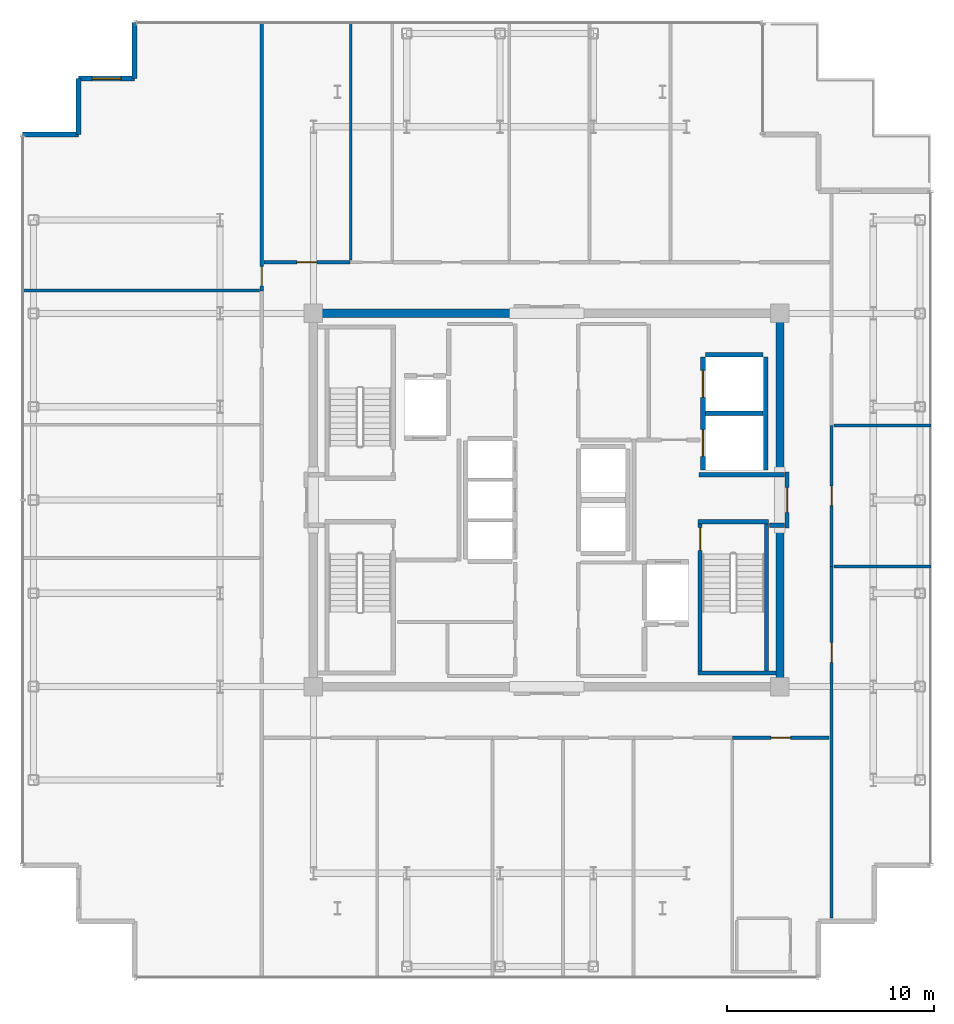
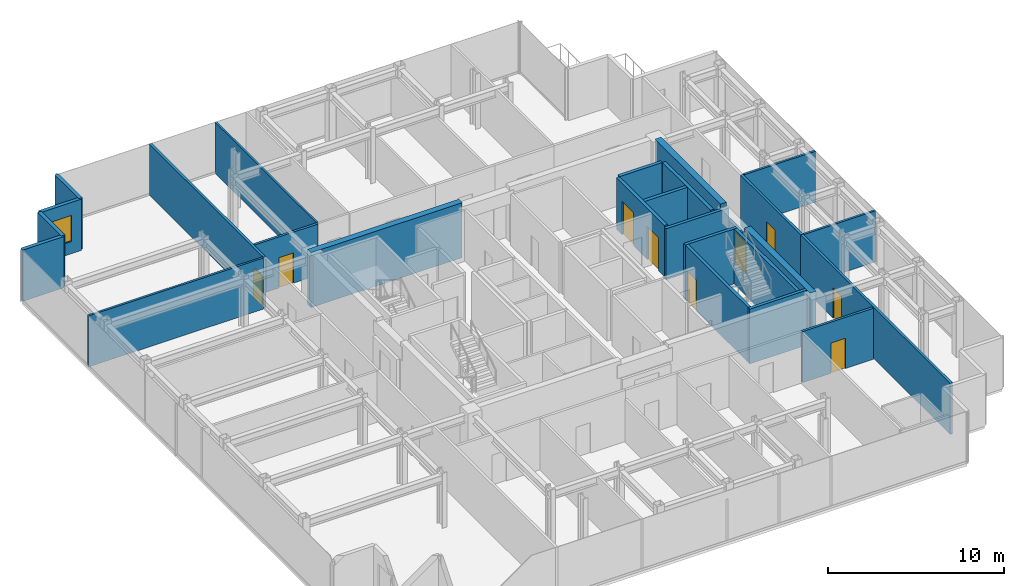
# One storey, part 14 of 17: 27 walls, 9 doors, 1 window, 10 openings.
"""IFC4 building model written with IfcOpenShell, lengths in metres."""

import ifcopenshell
import ifcopenshell.guid

model = None  # the IFC model being written
_history = None  # IfcOwnerHistory: only IFC2X3 demands one
_inside = {}  # id of a spatial element -> (the spatial element, [elements in it])
_under = {}  # id of a project, library or spatial element -> (it, [spatial elements below it])
_declared = {}  # id of a project -> (the project, [libraries it declares])
_typed = {}  # id of a type object -> (the type object, [elements of that type])
_made_of = {}  # id of a material, layer set ... -> (it, [elements and type objects made of it])


def new_model(schema):
    """Start an empty IFC model of exactly this schema.

    Asked for "IFC4X3", IfcOpenShell would pick the latest addendum, in which some entities
    have other attributes; the version numbers below select the first issue.
    IFC2X3 requires an IfcOwnerHistory on every rooted entity: one is made here for all.
    """
    global model, _history
    if schema == "IFC4X3":
        model = ifcopenshell.file(schema_version=(4, 3, 0, 0))
    else:
        model = ifcopenshell.file(schema=schema)
    _inside.clear()
    _under.clear()
    _declared.clear()
    _typed.clear()
    _made_of.clear()
    _history = None
    if model.schema == "IFC2X3":
        org = make("IfcOrganization", Name="unknown")
        user = make(
            "IfcPersonAndOrganization",
            ThePerson=make("IfcPerson", FamilyName="unknown"),
            TheOrganization=org,
        )
        app = make(
            "IfcApplication",
            ApplicationDeveloper=org,
            Version="unknown",
            ApplicationFullName="unknown",
            ApplicationIdentifier="unknown",
        )
        _history = make(
            "IfcOwnerHistory",
            OwningUser=user,
            OwningApplication=app,
            ChangeAction="ADDED",
            CreationDate=0,
        )
    return model


def make(cls, **values):
    """One entity of the class cls with the attributes given. An attribute that is None is left unset."""
    return model.create_entity(
        cls, **{name: value for name, value in values.items() if value is not None}
    )


def rooted(cls, **values):
    """An entity with a GlobalId (a new one), such as an element, a storey or a relation."""
    return make(cls, GlobalId=ifcopenshell.guid.new(), OwnerHistory=_history, **values)


def si_unit(unit_type, name, prefix=None):
    """IfcSIUnit, for example si_unit("LENGTHUNIT", "METRE", prefix="MILLI")."""
    return make("IfcSIUnit", UnitType=unit_type, Prefix=prefix, Name=name)


def assignment(units):
    """IfcUnitAssignment: the units of a project."""
    return None if units is None else make("IfcUnitAssignment", Units=units)


def point(xyz):
    """IfcCartesianPoint."""
    return None if xyz is None else make("IfcCartesianPoint", Coordinates=xyz)


def direction(xyz):
    """IfcDirection."""
    return None if xyz is None else make("IfcDirection", DirectionRatios=xyz)


def frame(location, z_axis=None, x_axis=None):
    """IfcAxis2Placement3D, a coordinate frame: its origin and axes. An axis left out is left unset."""
    return make(
        "IfcAxis2Placement3D",
        Location=point(location),
        Axis=direction(z_axis),
        RefDirection=direction(x_axis),
    )


def frame_2d(location, x_axis=None):
    """IfcAxis2Placement2D, a coordinate frame in the plane: its origin and x axis."""
    return make(
        "IfcAxis2Placement2D", Location=point(location), RefDirection=direction(x_axis)
    )


def origin():
    """The frame at (0, 0, 0) with its axes left unset."""
    return frame((0.0, 0.0, 0.0))


def place(relative_to, where):
    """IfcLocalPlacement: puts the frame where relative to a parent placement (None: the world)."""
    return make(
        "IfcLocalPlacement", PlacementRelTo=relative_to, RelativePlacement=where
    )


def context(
    kind, dimensions, precision=None, world=None, true_north=None, identifier=None
):
    """IfcGeometricRepresentationContext, for example the 3D "Model" context."""
    return make(
        "IfcGeometricRepresentationContext",
        ContextIdentifier=identifier,
        ContextType=kind,
        CoordinateSpaceDimension=dimensions,
        Precision=precision,
        WorldCoordinateSystem=world,
        TrueNorth=true_north,
    )


def subcontext(parent, identifier, kind, view, scale=None):
    """IfcGeometricRepresentationSubContext, for example "Body" below "Model"."""
    return make(
        "IfcGeometricRepresentationSubContext",
        ContextIdentifier=identifier,
        ContextType=kind,
        ParentContext=parent,
        TargetScale=scale,
        TargetView=view,
    )


def project(units=None, contexts=None):
    """IfcProject with its units and contexts."""
    return rooted(
        "IfcProject",
        Name="project",
        RepresentationContexts=contexts,
        UnitsInContext=assignment(units),
    )


def spatial(cls, under=None, at=None, **own):
    """A site, building, storey or space (cls), placed at a placement, below another one or the project."""
    s = rooted(cls, ObjectPlacement=at, **own)
    if under is not None:
        _under.setdefault(under.id(), (under, []))[1].append(s)
    return s


def profile(cls, at=None, kind="AREA", **sizes):
    """A parametric profile (cls). Its sizes go by their IFC names, for example OverallWidth=200.0."""
    return make(cls, ProfileType=kind, Position=at, **sizes)


def rectangle(**sizes):
    """IfcRectangleProfileDef."""
    return profile("IfcRectangleProfileDef", **sizes)


def extrude(swept, where, along, depth):
    """IfcExtrudedAreaSolid: the profile swept, set in the frame where, extruded along a direction by depth."""
    return make(
        "IfcExtrudedAreaSolid",
        SweptArea=swept,
        Position=where,
        ExtrudedDirection=direction(along),
        Depth=depth,
    )


def shape(context_of_items, identifier, shape_type, items):
    """IfcShapeRepresentation: the items that make up one representation, for example the "Body"."""
    return make(
        "IfcShapeRepresentation",
        ContextOfItems=context_of_items,
        RepresentationIdentifier=identifier,
        RepresentationType=shape_type,
        Items=items,
    )


def source(mapping_origin, context_of_items, identifier, shape_type, items):
    """IfcRepresentationMap: a shape defined once, which mapped items show again and again."""
    return make(
        "IfcRepresentationMap",
        MappingOrigin=mapping_origin,
        MappedRepresentation=shape(context_of_items, identifier, shape_type, items),
    )


def transform(
    local_origin,
    x_axis=None,
    y_axis=None,
    z_axis=None,
    scale=None,
    scale2=None,
    scale3=None,
    uniform=True,
):
    """IfcCartesianTransformationOperator3D, or its non-uniform kind. x_axis, y_axis, z_axis: its Axis1, 2, 3."""
    if uniform:
        return make(
            "IfcCartesianTransformationOperator3D",
            Axis1=direction(x_axis),
            Axis2=direction(y_axis),
            LocalOrigin=point(local_origin),
            Scale=scale,
            Axis3=direction(z_axis),
        )
    return make(
        "IfcCartesianTransformationOperator3DnonUniform",
        Axis1=direction(x_axis),
        Axis2=direction(y_axis),
        LocalOrigin=point(local_origin),
        Scale=scale,
        Axis3=direction(z_axis),
        Scale2=scale2,
        Scale3=scale3,
    )


def mapped(mapping_source, mapping_target):
    """IfcMappedItem: shows the shape of a source again, moved by a transform."""
    return make(
        "IfcMappedItem", MappingSource=mapping_source, MappingTarget=mapping_target
    )


def material(Name=None, Category=None):
    """IfcMaterial."""
    return make("IfcMaterial", Name=Name, Category=Category)


def layer(
    of_material, thickness, ventilated=None, Name=None, Category=None, Priority=None
):
    """IfcMaterialLayer: one layer of a wall or slab, of a material (None: an air gap)."""
    return make(
        "IfcMaterialLayer",
        Material=of_material,
        LayerThickness=thickness,
        IsVentilated=ventilated,
        Name=Name,
        Category=Category,
        Priority=Priority,
    )


def layer_set(layers, Name=None):
    """IfcMaterialLayerSet."""
    return make("IfcMaterialLayerSet", MaterialLayers=layers, LayerSetName=Name)


def made_of(thing, what):
    """Note that an element or type object is made of a material, layer set ...; save() writes the relation."""
    if what is not None:
        _made_of.setdefault(what.id(), (what, []))[1].append(thing)
    return thing


def type_object(cls, material=None, **own):
    """A type object (cls), such as IfcWallType, which elements share."""
    return made_of(rooted(cls, **own), material)


def element(
    cls,
    number,
    at=None,
    inside=None,
    cuts=None,
    type_object=None,
    material=None,
    context=None,
    identifier="Body",
    shape_type=None,
    held_by="IfcProductDefinitionShape",
    body=None,
    shapes=None,
    **own,
):
    """One element of the class cls, such as IfcWall. Its Tag is "e" and its number.

    at: its placement. inside: the storey or other place that contains it. cuts: it is an
    opening in that element (IfcRelVoidsElement). A single representation is given by context,
    identifier, shape_type and body (its items); several are given by shapes. held_by: the class
    of the entity that holds the representations. save() writes the other relations.
    """
    e = rooted(cls, Tag="e%d" % number, ObjectPlacement=at, **own)
    if body is not None:
        shapes = [shape(context, identifier, shape_type, body)]
    if shapes is not None:
        e.Representation = make(held_by, Representations=shapes)
    if inside is not None:
        _inside.setdefault(inside.id(), (inside, []))[1].append(e)
    if cuts is not None:
        rooted(
            "IfcRelVoidsElement", RelatingBuildingElement=cuts, RelatedOpeningElement=e
        )
    if type_object is not None:
        _typed.setdefault(type_object.id(), (type_object, []))[1].append(e)
    return made_of(e, material)


def fill(opening, filler):
    """IfcRelFillsElement: the door or window that sits in an opening."""
    return rooted(
        "IfcRelFillsElement",
        RelatingOpeningElement=opening,
        RelatedBuildingElement=filler,
    )


def aggregate(whole, parts):
    """IfcRelAggregates: a whole, such as a stair, and the parts it consists of."""
    return rooted("IfcRelAggregates", RelatingObject=whole, RelatedObjects=parts)


def save(model, path):
    """Write the relations noted so far, then the file.

    IfcRelAggregates (storeys below a building ...), IfcRelContainedInSpatialStructure (elements
    in a storey), IfcRelDefinesByType, IfcRelAssociatesMaterial and IfcRelDeclares: one each for
    every whole, place, type object, material and project.
    """
    for whole, parts in _under.values():
        aggregate(whole, parts)
    for where, things in _inside.values():
        rooted(
            "IfcRelContainedInSpatialStructure",
            RelatedElements=things,
            RelatingStructure=where,
        )
    for kind, things in _typed.values():
        rooted("IfcRelDefinesByType", RelatedObjects=things, RelatingType=kind)
    for what, things in _made_of.values():
        rooted("IfcRelAssociatesMaterial", RelatedObjects=things, RelatingMaterial=what)
    for by, libraries in _declared.values():
        rooted("IfcRelDeclares", RelatingContext=by, RelatedDefinitions=libraries)
    model.write(path)


model = new_model("IFC4")

# Units and contexts
model_context = context("Model", 3, precision=1e-05, world=origin(), true_north=direction((0.0, 1.0)))
body_context = subcontext(model_context, "Body", "Model", "MODEL_VIEW")
ifc_project = project(units=[si_unit("LENGTHUNIT", "METRE"), si_unit("AREAUNIT", "SQUARE_METRE"), si_unit("VOLUMEUNIT", "CUBIC_METRE"), si_unit("PLANEANGLEUNIT", "RADIAN"), si_unit("MASSUNIT", "GRAM", prefix="KILO")], contexts=[model_context])

# Site, building, storey
site_placement = place(None, origin())
site = spatial("IfcSite", under=ifc_project, at=site_placement, CompositionType="ELEMENT")
building_placement = place(site_placement, origin())
building = spatial("IfcBuilding", under=site, at=building_placement, Name="Nefas-Gora Pilgrimage Tower", CompositionType="ELEMENT")
storey_placement = place(building_placement, frame((0.0, 0.0, 337.60009765625)))
storey = spatial("IfcBuildingStorey", under=building, at=storey_placement, Name="L85", CompositionType="ELEMENT", Elevation=337.60009765625)

# Walls
ifc_material_1 = material(Name="Concrete C50/60", Category="concrete")
ifc_layer_1 = layer(ifc_material_1, 0.39990234375)
ifc_layer_set_1 = layer_set([ifc_layer_1], Name="Concrete C50/60")
wall_type_1 = type_object("IfcWallType", Name="SW-CORE-400", PredefinedType="SHEAR", material=ifc_layer_set_1)
shared_shape_1 = source(origin(), body_context, "Body", "SweptSolid", [
    extrude(rectangle(XDim=9.89990234375, YDim=0.39990234375, at=frame_2d((4.949951171875, 0.0))), origin(), (0.0, 0.0, 1.0), 3.7998046875),
])
wall_1_placement = place(storey_placement, frame((-11.449951171875, 9.0, 0.0), z_axis=(0.0, 0.0, 1.0), x_axis=(1.0, 0.0, 0.0)))
element("IfcWall", 1, at=wall_1_placement, inside=storey, type_object=wall_type_1, Name="L85 Core Shear Wall N-West", PredefinedType="SHEAR", context=body_context, shape_type="MappedRepresentation", body=[
    mapped(shared_shape_1, transform((0.0, 0.0, 0.0), x_axis=(1.0, 0.0, 0.0), y_axis=(0.0, 1.0, 0.0), z_axis=(0.0, 0.0, 1.0), scale=1.0)),
])
shared_shape_2 = source(origin(), body_context, "Body", "SweptSolid", [
    extrude(rectangle(XDim=7.449951171875, YDim=0.39990234375, at=frame_2d((3.72509765625, 0.0))), origin(), (0.0, 0.0, 1.0), 3.7998046875),
])
for number, where, z_axis, x_axis, name in (
    (2, (11.25, -8.800048828125, 0.0), (0.0, 0.0, 1.0), (0.0, 1.0, 0.0), "L85 Core Shear Wall E-South"),
    (3, (11.25, 1.35009765625, 0.0), (0.0, 0.0, 1.0), (0.0, 1.0, 0.0), "L85 Core Shear Wall E-North"),
):
    element("IfcWall", number, at=place(storey_placement, frame(where, z_axis=z_axis, x_axis=x_axis)), inside=storey, type_object=wall_type_1, Name=name, PredefinedType="SHEAR", context=body_context, shape_type="MappedRepresentation", body=[
        mapped(shared_shape_2, transform((0.0, 0.0, 0.0), x_axis=(1.0, 0.0, 0.0), y_axis=(0.0, 1.0, 0.0), z_axis=(0.0, 0.0, 1.0), scale=1.0)),
    ])
ifc_material_2 = material(Name="Precast concrete C45/55", Category="concrete")
ifc_layer_2 = layer(ifc_material_2, 0.239990234375)
ifc_layer_set_2 = layer_set([ifc_layer_2], Name="Precast concrete C45/55")
wall_type_2 = type_object("IfcWallType", Name="EW-SERR-240", PredefinedType="SHEAR", material=ifc_layer_set_2)
shared_shape_3 = source(origin(), body_context, "Body", "SweptSolid", [
    extrude(rectangle(XDim=2.699951171875, YDim=0.239990234375, at=frame_2d((1.35009765625, 0.0))), origin(), (0.0, 0.0, 1.0), 3.5498046875),
])
wall_2_placement = place(storey_placement, frame((-19.8701171875, 23.02001953125, 0.0), z_axis=(0.0, 0.0, 1.0), x_axis=(0.0, -1.0, 0.0)))
element("IfcWall", 4, at=wall_2_placement, inside=storey, type_object=wall_type_2, Name="L85 Serrated Corner Shear Pier Wall 4", PredefinedType="SHEAR", context=body_context, shape_type="MappedRepresentation", body=[
    mapped(shared_shape_3, transform((0.0, 0.0, 0.0), x_axis=(1.0, 0.0, 0.0), y_axis=(0.0, 1.0, 0.0), z_axis=(0.0, 0.0, 1.0), scale=1.0)),
])

# Wall, opening, window
wall_3_placement = place(storey_placement, frame((-19.8701171875, 20.320068359375, 0.0), z_axis=(0.0, 0.0, 1.0), x_axis=(-1.0, 0.0, 0.0)))
wall_3 = element("IfcWall", 5, at=wall_3_placement, inside=storey, type_object=wall_type_2, Name="L85 Serrated Corner Shear Pier Wall 5", PredefinedType="SHEAR", context=body_context, shape_type="MappedRepresentation", body=[
    mapped(shared_shape_3, transform((0.0, 0.0, 0.0), x_axis=(1.0, 0.0, 0.0), y_axis=(0.0, 1.0, 0.0), z_axis=(0.0, 0.0, 1.0), scale=1.0)),
])
opening_1_placement = place(wall_3_placement, frame((0.64990234375, 0.0, 0.85009765625)))
opening_1 = element("IfcOpeningElement", 6, at=opening_1_placement, cuts=wall_3, Name="Opening W-V2", PredefinedType="OPENING", context=body_context, shape_type="SweptSolid", body=[
    extrude(rectangle(XDim=1.39990234375, YDim=1.800048828125, at=frame_2d((0.699951171875, 0.89990234375))), frame((0.0, 0.1298828125, 0.0), z_axis=(0.0, -1.0, 0.0), x_axis=(1.0, 0.0, 0.0)), (0.0, 0.0, 1.0), 0.260009765625),
])
ifc_material_3 = material(Name="Dark ceramic-fritted operable aluminium-glass window", Category="aluminium")
window_type = type_object("IfcWindowType", Name="WIN-VENT-1400x1800", PartitioningType="SINGLE_PANEL", PredefinedType="WINDOW", material=ifc_material_3)
shared_shape_4 = source(origin(), body_context, "Body", "SweptSolid", [
    extrude(rectangle(XDim=1.39990234375, YDim=1.800048828125, at=frame_2d((0.699951171875, 0.89990234375))), frame((0.0, 0.030029296875, 0.0), z_axis=(0.0, -1.0, 0.0), x_axis=(1.0, 0.0, 0.0)), (0.0, 0.0, 1.0), 0.06005859375),
])
window_placement = place(opening_1_placement, origin())
window = element("IfcWindow", 7, at=window_placement, inside=storey, type_object=window_type, Name="L85 Operable Parallel-Outswing Window 5", OverallHeight=1.800048828125, OverallWidth=1.39990234375, PartitioningType="SINGLE_PANEL", PredefinedType="WINDOW", context=body_context, shape_type="MappedRepresentation", body=[
    mapped(shared_shape_4, transform((0.0, 0.0, 0.0), x_axis=(1.0, 0.0, 0.0), y_axis=(0.0, 1.0, 0.0), z_axis=(0.0, 0.0, 1.0), scale=1.0)),
])
fill(opening_1, window)

# Walls
for number, where, z_axis, x_axis, name in (
    (8, (-22.570068359375, 20.320068359375, 0.0), (0.0, 0.0, 1.0), (0.0, -1.0, 0.0), "L85 Serrated Corner Shear Pier Wall 6"),
    (9, (-22.570068359375, 17.6201171875, 0.0), (0.0, 0.0, 1.0), (-1.0, 0.0, 0.0), "L85 Serrated Corner Shear Pier Wall 7"),
):
    element("IfcWall", number, at=place(storey_placement, frame(where, z_axis=z_axis, x_axis=x_axis)), inside=storey, type_object=wall_type_2, Name=name, PredefinedType="SHEAR", context=body_context, shape_type="MappedRepresentation", body=[
        mapped(shared_shape_3, transform((0.0, 0.0, 0.0), x_axis=(1.0, 0.0, 0.0), y_axis=(0.0, 1.0, 0.0), z_axis=(0.0, 0.0, 1.0), scale=1.0)),
    ])
ifc_material_4 = material(Name="Concrete C45/55", Category="concrete")
ifc_layer_3 = layer(ifc_material_4, 0.199951171875)
ifc_layer_set_3 = layer_set([ifc_layer_3], Name="Concrete C45/55")
wall_type_3 = type_object("IfcWallType", Name="IW-STAIR-200", PredefinedType="SOLIDWALL", material=ifc_layer_set_3)
shared_shape_5 = source(origin(), body_context, "Body", "SweptSolid", [
    extrude(rectangle(XDim=3.39990234375, YDim=0.199951171875, at=frame_2d((1.699951171875, 0.0))), origin(), (0.0, 0.0, 1.0), 3.7998046875),
])
wall_4_placement = place(storey_placement, frame((7.300048828125, -1.050048828125, 0.0), z_axis=(0.0, 0.0, 1.0), x_axis=(1.0, 0.0, 0.0)))
element("IfcWall", 10, at=wall_4_placement, inside=storey, type_object=wall_type_3, Name="L85 Stairwell Shear Wall ST-02-near", PredefinedType="SOLIDWALL", context=body_context, shape_type="MappedRepresentation", body=[
    mapped(shared_shape_5, transform((0.0, 0.0, 0.0), x_axis=(1.0, 0.0, 0.0), y_axis=(0.0, 1.0, 0.0), z_axis=(0.0, 0.0, 1.0), scale=1.0)),
])

# Wall, opening, door
shared_shape_6 = source(origin(), body_context, "Body", "SweptSolid", [
    extrude(rectangle(XDim=7.10009765625, YDim=0.199951171875, at=frame_2d((3.550048828125, 0.0))), origin(), (0.0, 0.0, 1.0), 3.7998046875),
])
wall_5_placement = place(storey_placement, frame((7.39990234375, -1.14990234375, 0.0), z_axis=(0.0, 0.0, 1.0), x_axis=(0.0, -1.0, 0.0)))
wall_5 = element("IfcWall", 11, at=wall_5_placement, inside=storey, type_object=wall_type_3, Name="L85 Stairwell Shear Wall ST-02-left", PredefinedType="SOLIDWALL", context=body_context, shape_type="MappedRepresentation", body=[
    mapped(shared_shape_6, transform((0.0, 0.0, 0.0), x_axis=(1.0, 0.0, 0.0), y_axis=(0.0, 1.0, 0.0), z_axis=(0.0, 0.0, 1.0), scale=1.0)),
])
opening_2_placement = place(wall_5_placement, frame((0.179931640625, 0.0, 0.0)))
opening_2 = element("IfcOpeningElement", 12, at=opening_2_placement, cuts=wall_5, Name="Opening ID-ST1", PredefinedType="OPENING", context=body_context, shape_type="SweptSolid", body=[
    extrude(rectangle(XDim=1.10009765625, YDim=2.14990234375, at=frame_2d((0.550048828125, 1.074951171875))), frame((0.0, 0.10986328125, 0.0), z_axis=(0.0, -1.0, 0.0), x_axis=(1.0, 0.0, 0.0)), (0.0, 0.0, 1.0), 0.219970703125),
])
ifc_material_5 = material(Name="Painted galvanised steel fire stair door", Category="steel")
door_type_1 = type_object("IfcDoorType", Name="DR-INT-STAIR-1100", OperationType="NOTDEFINED", PredefinedType="DOOR", material=ifc_material_5)
shared_shape_7 = source(origin(), body_context, "Body", "SweptSolid", [
    extrude(rectangle(XDim=1.10009765625, YDim=2.14990234375, at=frame_2d((0.550048828125, 1.074951171875))), frame((0.0, 0.02490234375, 0.0), z_axis=(0.0, -1.0, 0.0), x_axis=(1.0, 0.0, 0.0)), (0.0, 0.0, 1.0), 0.050048828125),
])
door_1_placement = place(opening_2_placement, origin())
door_1 = element("IfcDoor", 13, at=door_1_placement, inside=storey, type_object=door_type_1, Name="L85 Protected Exit Stair Door ST-02", OperationType="SINGLE_SWING_RIGHT", OverallHeight=2.14990234375, OverallWidth=1.10009765625, PredefinedType="DOOR", context=body_context, shape_type="MappedRepresentation", body=[
    mapped(shared_shape_7, transform((0.0, 0.0, 0.0), x_axis=(1.0, 0.0, 0.0), y_axis=(0.0, 1.0, 0.0), z_axis=(0.0, 0.0, 1.0), scale=1.0)),
])
fill(opening_2, door_1)

# Walls
wall_6_placement = place(storey_placement, frame((10.60009765625, -1.14990234375, 0.0), z_axis=(0.0, 0.0, 1.0), x_axis=(0.0, -1.0, 0.0)))
element("IfcWall", 14, at=wall_6_placement, inside=storey, type_object=wall_type_3, Name="L85 Stairwell Shear Wall ST-02-right", PredefinedType="SOLIDWALL", context=body_context, shape_type="MappedRepresentation", body=[
    mapped(shared_shape_6, transform((0.0, 0.0, 0.0), x_axis=(1.0, 0.0, 0.0), y_axis=(0.0, 1.0, 0.0), z_axis=(0.0, 0.0, 1.0), scale=1.0)),
])
shared_shape_8 = source(origin(), body_context, "Body", "SweptSolid", [
    extrude(rectangle(XDim=3.7548828125, YDim=0.199951171875, at=frame_2d((1.87744140625, 0.0))), origin(), (0.0, 0.0, 1.0), 3.7998046875),
])
wall_7_placement = place(storey_placement, frame((7.300048828125, -8.35009765625, 0.0), z_axis=(0.0, 0.0, 1.0), x_axis=(1.0, 0.0, 0.0)))
element("IfcWall", 15, at=wall_7_placement, inside=storey, type_object=wall_type_3, Name="L85 Stairwell Shear Wall ST-02-far", PredefinedType="SOLIDWALL", context=body_context, shape_type="MappedRepresentation", body=[
    mapped(shared_shape_8, transform((0.0, 0.0, 0.0), x_axis=(1.0, 0.0, 0.0), y_axis=(0.0, 1.0, 0.0), z_axis=(0.0, 0.0, 1.0), scale=1.0)),
])

# Wall, openings, doors
ifc_material_6 = material(Name="Concrete C40/50", Category="concrete")
ifc_layer_4 = layer(ifc_material_6, 0.219970703125)
ifc_layer_set_4 = layer_set([ifc_layer_4], Name="Concrete C40/50")
wall_type_4 = type_object("IfcWallType", Name="IW-SHAFT-220", PredefinedType="SOLIDWALL", material=ifc_layer_set_4)
shared_shape_9 = source(origin(), body_context, "Body", "SweptSolid", [
    extrude(rectangle(XDim=5.449951171875, YDim=0.219970703125, at=frame_2d((2.72509765625, 0.0))), origin(), (0.0, 0.0, 1.0), 3.534912109375),
])
wall_8_placement = place(storey_placement, frame((7.5400390625, 6.89990234375, 0.0), z_axis=(0.0, 0.0, 1.0), x_axis=(0.0, -1.0, 0.0)))
wall_8 = element("IfcWall", 16, at=wall_8_placement, inside=storey, type_object=wall_type_4, Name="L85 Hoistway Wall SL-01-02-W", PredefinedType="SOLIDWALL", context=body_context, shape_type="MappedRepresentation", body=[
    mapped(shared_shape_9, transform((0.0, 0.0, 0.0), x_axis=(1.0, 0.0, 0.0), y_axis=(0.0, 1.0, 0.0), z_axis=(0.0, 0.0, 1.0), scale=1.0)),
])
opening_3_placement = place(wall_8_placement, frame((3.5, 0.0, 0.0)))
opening_3 = element("IfcOpeningElement", 17, at=opening_3_placement, cuts=wall_8, Name="Opening LD-SV", PredefinedType="OPENING", context=body_context, shape_type="SweptSolid", body=[
    extrude(rectangle(XDim=1.300048828125, YDim=2.300048828125, at=frame_2d((0.64990234375, 1.14990234375))), frame((0.0, 0.119873046875, 0.0), z_axis=(0.0, -1.0, 0.0), x_axis=(1.0, 0.0, 0.0)), (0.0, 0.0, 1.0), 0.239990234375),
])
opening_4_placement = place(wall_8_placement, frame((0.64990234375, 0.0, 0.0)))
opening_4 = element("IfcOpeningElement", 18, at=opening_4_placement, cuts=wall_8, Name="Opening LD-SV", PredefinedType="OPENING", context=body_context, shape_type="SweptSolid", body=[
    extrude(rectangle(XDim=1.300048828125, YDim=2.300048828125, at=frame_2d((0.64990234375, 1.14990234375))), frame((0.0, 0.119873046875, 0.0), z_axis=(0.0, -1.0, 0.0), x_axis=(1.0, 0.0, 0.0)), (0.0, 0.0, 1.0), 0.239990234375),
])
ifc_material_7 = material(Name="Heavy goods sliding lift landing door")
door_type_2 = type_object("IfcDoorType", Name="DR-LIFT-SERV-1300", OperationType="SLIDING_TO_RIGHT", PredefinedType="DOOR", material=ifc_material_7)
shared_shape_10 = source(origin(), body_context, "Body", "SweptSolid", [
    extrude(rectangle(XDim=1.300048828125, YDim=2.300048828125, at=frame_2d((0.64990234375, 1.14990234375))), frame((0.0, 0.02490234375, 0.0), z_axis=(0.0, -1.0, 0.0), x_axis=(1.0, 0.0, 0.0)), (0.0, 0.0, 1.0), 0.050048828125),
])
door_2_placement = place(opening_3_placement, origin())
door_2 = element("IfcDoor", 19, at=door_2_placement, inside=storey, type_object=door_type_2, Name="L85 Sliding Lift Landing Door SL-01", OperationType="SLIDING_TO_RIGHT", OverallHeight=2.300048828125, OverallWidth=1.300048828125, PredefinedType="DOOR", context=body_context, shape_type="MappedRepresentation", body=[
    mapped(shared_shape_10, transform((0.0, 0.0, 0.0), x_axis=(1.0, 0.0, 0.0), y_axis=(0.0, 1.0, 0.0), z_axis=(0.0, 0.0, 1.0), scale=1.0)),
])
fill(opening_3, door_2)
door_3_placement = place(opening_4_placement, origin())
door_3 = element("IfcDoor", 20, at=door_3_placement, inside=storey, type_object=door_type_2, Name="L85 Sliding Lift Landing Door SL-02", OperationType="SLIDING_TO_RIGHT", OverallHeight=2.300048828125, OverallWidth=1.300048828125, PredefinedType="DOOR", context=body_context, shape_type="MappedRepresentation", body=[
    mapped(shared_shape_10, transform((0.0, 0.0, 0.0), x_axis=(1.0, 0.0, 0.0), y_axis=(0.0, 1.0, 0.0), z_axis=(0.0, 0.0, 1.0), scale=1.0)),
])
fill(opening_4, door_3)

# Walls
wall_9_placement = place(storey_placement, frame((10.56005859375, 1.449951171875, 0.0), z_axis=(0.0, 0.0, 1.0), x_axis=(0.0, 1.0, 0.0)))
element("IfcWall", 21, at=wall_9_placement, inside=storey, type_object=wall_type_4, Name="L85 Hoistway Wall SL-01-02-E", PredefinedType="SOLIDWALL", context=body_context, shape_type="MappedRepresentation", body=[
    mapped(shared_shape_9, transform((0.0, 0.0, 0.0), x_axis=(1.0, 0.0, 0.0), y_axis=(0.0, 1.0, 0.0), z_axis=(0.0, 0.0, 1.0), scale=1.0)),
])
shared_shape_11 = source(origin(), body_context, "Body", "SweptSolid", [
    extrude(rectangle(XDim=2.780029296875, YDim=0.219970703125, at=frame_2d((1.39013671875, 0.0))), origin(), (0.0, 0.0, 1.0), 3.534912109375),
])
for number, where, z_axis, x_axis, name in (
    (22, (7.659912109375, 4.175048828125, 0.0), (0.0, 0.0, 1.0), (1.0, 0.0, 0.0), "L85 Hoistway Wall SL-01-02-DIV"),
    (23, (10.43994140625, 7.010009765625, 0.0), (0.0, 0.0, 1.0), (-1.0, 0.0, 0.0), "L85 Hoistway Wall SL-02-N"),
):
    element("IfcWall", number, at=place(storey_placement, frame(where, z_axis=z_axis, x_axis=x_axis)), inside=storey, type_object=wall_type_4, Name=name, PredefinedType="SOLIDWALL", context=body_context, shape_type="MappedRepresentation", body=[
        mapped(shared_shape_11, transform((0.0, 0.0, 0.0), x_axis=(1.0, 0.0, 0.0), y_axis=(0.0, 1.0, 0.0), z_axis=(0.0, 0.0, 1.0), scale=1.0)),
    ])
ifc_material_8 = material(Name="Gypsum fire-rated shaftwall")
ifc_layer_5 = layer(ifc_material_8, 0.199951171875)
ifc_layer_set_5 = layer_set([ifc_layer_5], Name="Gypsum fire-rated shaftwall")
wall_type_5 = type_object("IfcWallType", Name="IW-FFLOB-200", PredefinedType="PARTITIONING", material=ifc_layer_set_5)
shared_shape_12 = source(origin(), body_context, "Body", "SweptSolid", [
    extrude(rectangle(XDim=0.719970703125, YDim=0.199951171875, at=frame_2d((0.35986328125, 0.0))), origin(), (0.0, 0.0, 1.0), 3.534912109375),
])
wall_10_placement = place(storey_placement, frame((10.739990234375, -1.219970703125, 0.0), z_axis=(0.0, 0.0, 1.0), x_axis=(1.0, 0.0, 0.0)))
element("IfcWall", 24, at=wall_10_placement, inside=storey, type_object=wall_type_5, Name="L85 FF Lobby East Throat S Wall 15", PredefinedType="PARTITIONING", context=body_context, shape_type="MappedRepresentation", body=[
    mapped(shared_shape_12, transform((0.0, 0.0, 0.0), x_axis=(1.0, 0.0, 0.0), y_axis=(0.0, 1.0, 0.0), z_axis=(0.0, 0.0, 1.0), scale=1.0)),
])
shared_shape_13 = source(origin(), body_context, "Body", "SweptSolid", [
    extrude(rectangle(XDim=4.10986328125, YDim=0.199951171875, at=frame_2d((2.054931640625, 0.0))), origin(), (0.0, 0.0, 1.0), 3.534912109375),
])
wall_11_placement = place(storey_placement, frame((7.35009765625, 1.219970703125, 0.0), z_axis=(0.0, 0.0, 1.0), x_axis=(1.0, 0.0, 0.0)))
element("IfcWall", 25, at=wall_11_placement, inside=storey, type_object=wall_type_5, Name="L85 FF Lobby East Throat N Wall 14", PredefinedType="PARTITIONING", context=body_context, shape_type="MappedRepresentation", body=[
    mapped(shared_shape_13, transform((0.0, 0.0, 0.0), x_axis=(1.0, 0.0, 0.0), y_axis=(0.0, 1.0, 0.0), z_axis=(0.0, 0.0, 1.0), scale=1.0)),
])

# Wall, opening, door
ifc_material_9 = material(Name="Gypsum acoustic stud partition")
ifc_layer_6 = layer(ifc_material_9, 0.159912109375)
ifc_layer_set_6 = layer_set([ifc_layer_6], Name="Gypsum acoustic stud partition")
wall_type_6 = type_object("IfcWallType", Name="IW-CORR-160", PredefinedType="PARTITIONING", material=ifc_layer_set_6)
shared_shape_14 = source(origin(), body_context, "Body", "SweptSolid", [
    extrude(rectangle(XDim=4.125, YDim=0.159912109375, at=frame_2d((2.0625, 0.0))), origin(), (0.0, 0.0, 1.0), 3.534912109375),
])
wall_12_placement = place(storey_placement, frame((-13.6201171875, 11.469970703125, 0.0), z_axis=(0.0, 0.0, 1.0), x_axis=(1.0, 0.0, 0.0)))
wall_12 = element("IfcWall", 26, at=wall_12_placement, inside=storey, type_object=wall_type_6, Name="L85 Pilgrim Fellowship Seminar Room Partition Wall 49", PredefinedType="PARTITIONING", context=body_context, shape_type="MappedRepresentation", body=[
    mapped(shared_shape_14, transform((0.0, 0.0, 0.0), x_axis=(1.0, 0.0, 0.0), y_axis=(0.0, 1.0, 0.0), z_axis=(0.0, 0.0, 1.0), scale=1.0)),
])
opening_5_placement = place(wall_12_placement, frame((1.58740234375, 0.0, 0.0)))
opening_5 = element("IfcOpeningElement", 27, at=opening_5_placement, cuts=wall_12, Name="Opening ID-GR1", PredefinedType="OPENING", context=body_context, shape_type="SweptSolid", body=[
    extrude(rectangle(XDim=0.949951171875, YDim=2.10009765625, at=frame_2d((0.47509765625, 1.050048828125))), frame((0.0, 0.08984375, 0.0), z_axis=(0.0, -1.0, 0.0), x_axis=(1.0, 0.0, 0.0)), (0.0, 0.0, 1.0), 0.179931640625),
])
ifc_material_10 = material(Name="Solid core oak fire-rated guest entrance door")
door_type_3 = type_object("IfcDoorType", Name="DR-INT-GUEST-950", OperationType="NOTDEFINED", PredefinedType="DOOR", material=ifc_material_10)
shared_shape_15 = source(origin(), body_context, "Body", "SweptSolid", [
    extrude(rectangle(XDim=0.949951171875, YDim=2.10009765625, at=frame_2d((0.47509765625, 1.050048828125))), frame((0.0, 0.02490234375, 0.0), z_axis=(0.0, -1.0, 0.0), x_axis=(1.0, 0.0, 0.0)), (0.0, 0.0, 1.0), 0.050048828125),
])
door_4_placement = place(opening_5_placement, origin())
door_4 = element("IfcDoor", 28, at=door_4_placement, inside=storey, type_object=door_type_3, Name="L85 Pilgrim Fellowship Seminar Room Door 22", OperationType="SINGLE_SWING_RIGHT", OverallHeight=2.10009765625, OverallWidth=0.949951171875, PredefinedType="DOOR", context=body_context, shape_type="MappedRepresentation", body=[
    mapped(shared_shape_15, transform((0.0, 0.0, 0.0), x_axis=(1.0, 0.0, 0.0), y_axis=(0.0, 1.0, 0.0), z_axis=(0.0, 0.0, 1.0), scale=1.0)),
])
fill(opening_5, door_4)

shared_shape_16 = source(origin(), body_context, "Body", "SweptSolid", [
    extrude(rectangle(XDim=6.81005859375, YDim=0.159912109375, at=frame_2d((3.405029296875, 0.0))), origin(), (0.0, 0.0, 1.0), 3.534912109375),
])
wall_13_placement = place(storey_placement, frame((13.739990234375, -3.205078125, 0.0), z_axis=(0.0, 0.0, 1.0), x_axis=(0.0, 1.0, 0.0)))
wall_13 = element("IfcWall", 29, at=wall_13_placement, inside=storey, type_object=wall_type_6, Name="L85 Pilgrim Fellowship Seminar Room Partition Wall 46", PredefinedType="PARTITIONING", context=body_context, shape_type="MappedRepresentation", body=[
    mapped(shared_shape_16, transform((0.0, 0.0, 0.0), x_axis=(1.0, 0.0, 0.0), y_axis=(0.0, 1.0, 0.0), z_axis=(0.0, 0.0, 1.0), scale=1.0)),
])
opening_6_placement = place(wall_13_placement, frame((2.929931640625, 0.0, 0.0)))
opening_6 = element("IfcOpeningElement", 30, at=opening_6_placement, cuts=wall_13, Name="Opening ID-GR1", PredefinedType="OPENING", context=body_context, shape_type="SweptSolid", body=[
    extrude(rectangle(XDim=0.949951171875, YDim=2.10009765625, at=frame_2d((0.47509765625, 1.050048828125))), frame((0.0, 0.08984375, 0.0), z_axis=(0.0, -1.0, 0.0), x_axis=(1.0, 0.0, 0.0)), (0.0, 0.0, 1.0), 0.179931640625),
])
door_5_placement = place(opening_6_placement, origin())
door_5 = element("IfcDoor", 31, at=door_5_placement, inside=storey, type_object=door_type_3, Name="L85 Pilgrim Fellowship Seminar Room Door 20", OperationType="SINGLE_SWING_RIGHT", OverallHeight=2.10009765625, OverallWidth=0.949951171875, PredefinedType="DOOR", context=body_context, shape_type="MappedRepresentation", body=[
    mapped(shared_shape_15, transform((0.0, 0.0, 0.0), x_axis=(1.0, 0.0, 0.0), y_axis=(0.0, 1.0, 0.0), z_axis=(0.0, 0.0, 1.0), scale=1.0)),
])
fill(opening_6, door_5)

shared_shape_17 = source(origin(), body_context, "Body", "SweptSolid", [
    extrude(rectangle(XDim=4.66015625, YDim=0.159912109375, at=frame_2d((2.330078125, 0.0))), origin(), (0.0, 0.0, 1.0), 3.534912109375),
])
wall_14_placement = place(storey_placement, frame((8.9599609375, -11.469970703125, 0.0), z_axis=(0.0, 0.0, 1.0), x_axis=(1.0, 0.0, 0.0)))
wall_14 = element("IfcWall", 32, at=wall_14_placement, inside=storey, type_object=wall_type_6, Name="L85 Pilgrim Sanctuary Suite Partition Wall 67", PredefinedType="PARTITIONING", context=body_context, shape_type="MappedRepresentation", body=[
    mapped(shared_shape_17, transform((0.0, 0.0, 0.0), x_axis=(1.0, 0.0, 0.0), y_axis=(0.0, 1.0, 0.0), z_axis=(0.0, 0.0, 1.0), scale=1.0)),
])
opening_7_placement = place(wall_14_placement, frame((1.85498046875, 0.0, 0.0)))
opening_7 = element("IfcOpeningElement", 33, at=opening_7_placement, cuts=wall_14, Name="Opening ID-GR1", PredefinedType="OPENING", context=body_context, shape_type="SweptSolid", body=[
    extrude(rectangle(XDim=0.949951171875, YDim=2.10009765625, at=frame_2d((0.47509765625, 1.050048828125))), frame((0.0, 0.08984375, 0.0), z_axis=(0.0, -1.0, 0.0), x_axis=(1.0, 0.0, 0.0)), (0.0, 0.0, 1.0), 0.179931640625),
])
door_6_placement = place(opening_7_placement, origin())
door_6 = element("IfcDoor", 34, at=door_6_placement, inside=storey, type_object=door_type_3, Name="L85 Pilgrim Sanctuary Suite Door 32", OperationType="SINGLE_SWING_RIGHT", OverallHeight=2.10009765625, OverallWidth=0.949951171875, PredefinedType="DOOR", context=body_context, shape_type="MappedRepresentation", body=[
    mapped(shared_shape_15, transform((0.0, 0.0, 0.0), x_axis=(1.0, 0.0, 0.0), y_axis=(0.0, 1.0, 0.0), z_axis=(0.0, 0.0, 1.0), scale=1.0)),
])
fill(opening_7, door_6)

# Wall
ifc_material_11 = material(Name="Gypsum twin-stud partition")
ifc_layer_7 = layer(ifc_material_11, 0.139892578125)
ifc_layer_set_7 = layer_set([ifc_layer_7], Name="Gypsum twin-stud partition")
wall_type_7 = type_object("IfcWallType", Name="IW-UNIT-140", PredefinedType="PARTITIONING", material=ifc_layer_set_7)
shared_shape_18 = source(origin(), body_context, "Body", "SweptSolid", [
    extrude(rectangle(XDim=11.429931640625, YDim=0.139892578125, at=frame_2d((5.71484375, 0.0))), origin(), (0.0, 0.0, 1.0), 3.534912109375),
])
wall_15_placement = place(storey_placement, frame((-25.2900390625, 10.097412109375, 0.0), z_axis=(0.0, 0.0, 1.0), x_axis=(1.0, 0.0, 0.0)))
element("IfcWall", 35, at=wall_15_placement, inside=storey, type_object=wall_type_7, Name="L85 Pilgrim Floor Concierge Foyer Partition Wall 40", PredefinedType="PARTITIONING", context=body_context, shape_type="MappedRepresentation", body=[
    mapped(shared_shape_18, transform((0.0, 0.0, 0.0), x_axis=(1.0, 0.0, 0.0), y_axis=(0.0, 1.0, 0.0), z_axis=(0.0, 0.0, 1.0), scale=1.0)),
])

# Wall, opening, door
shared_shape_19 = source(origin(), body_context, "Body", "SweptSolid", [
    extrude(rectangle(XDim=2.7001953125, YDim=0.199951171875, at=frame_2d((1.35009765625, 0.0))), origin(), (0.0, 0.0, 1.0), 2.625),
])
wall_16_placement = place(storey_placement, frame((11.60009765625, -1.35009765625, 0.0), z_axis=(0.0, 0.0, 1.0), x_axis=(0.0, 1.0, 0.0)))
wall_16 = element("IfcWall", 36, at=wall_16_placement, inside=storey, type_object=wall_type_5, Name="L85 FF Lobby East Portal Wall 10", PredefinedType="PARTITIONING", context=body_context, shape_type="MappedRepresentation", body=[
    mapped(shared_shape_19, transform((0.0, 0.0, 0.0), x_axis=(1.0, 0.0, 0.0), y_axis=(0.0, 1.0, 0.0), z_axis=(0.0, 0.0, 1.0), scale=1.0)),
])
opening_8_placement = place(wall_16_placement, frame((0.75, 0.0, 0.0)))
opening_8 = element("IfcOpeningElement", 37, at=opening_8_placement, cuts=wall_16, Name="Opening ID-FF1", PredefinedType="OPENING", context=body_context, shape_type="SweptSolid", body=[
    extrude(rectangle(XDim=1.199951171875, YDim=2.14990234375, at=frame_2d((0.60009765625, 1.074951171875))), frame((0.0, 0.10986328125, 0.0), z_axis=(0.0, -1.0, 0.0), x_axis=(1.0, 0.0, 0.0)), (0.0, 0.0, 1.0), 0.219970703125),
])
ifc_material_12 = material(Name="Smoke-sealed steel firefighting lobby door", Category="steel")
door_type_4 = type_object("IfcDoorType", Name="DR-INT-FFLOB-1200", OperationType="NOTDEFINED", PredefinedType="DOOR", material=ifc_material_12)
shared_shape_20 = source(origin(), body_context, "Body", "SweptSolid", [
    extrude(rectangle(XDim=1.199951171875, YDim=2.14990234375, at=frame_2d((0.60009765625, 1.074951171875))), frame((0.0, 0.02490234375, 0.0), z_axis=(0.0, -1.0, 0.0), x_axis=(1.0, 0.0, 0.0)), (0.0, 0.0, 1.0), 0.050048828125),
])
door_7_placement = place(opening_8_placement, origin())
door_7 = element("IfcDoor", 38, at=door_7_placement, inside=storey, type_object=door_type_4, Name="L85 FF Lobby East Portal Door 4", OperationType="SINGLE_SWING_RIGHT", OverallHeight=2.14990234375, OverallWidth=1.199951171875, PredefinedType="DOOR", context=body_context, shape_type="MappedRepresentation", body=[
    mapped(shared_shape_20, transform((0.0, 0.0, 0.0), x_axis=(1.0, 0.0, 0.0), y_axis=(0.0, 1.0, 0.0), z_axis=(0.0, 0.0, 1.0), scale=1.0)),
])
fill(opening_8, door_7)

# Walls
shared_shape_21 = source(origin(), body_context, "Body", "SweptSolid", [
    extrude(rectangle(XDim=4.679931640625, YDim=0.139892578125, at=frame_2d((2.33984375, 0.0))), origin(), (0.0, 0.0, 1.0), 3.534912109375),
])
for number, where, z_axis, x_axis, name in (
    (39, (13.860107421875, -3.205078125, 0.0), (0.0, 0.0, 1.0), (1.0, 0.0, 0.0), "L85 Pilgrim Fellowship Seminar Room Partition Wall 45"),
    (40, (13.860107421875, 3.594970703125, 0.0), (0.0, 0.0, 1.0), (1.0, 0.0, 0.0), "L85 Pilgrim Fellowship Seminar Room Partition Wall 47"),
):
    element("IfcWall", number, at=place(storey_placement, frame(where, z_axis=z_axis, x_axis=x_axis)), inside=storey, type_object=wall_type_7, Name=name, PredefinedType="PARTITIONING", context=body_context, shape_type="MappedRepresentation", body=[
        mapped(shared_shape_21, transform((0.0, 0.0, 0.0), x_axis=(1.0, 0.0, 0.0), y_axis=(0.0, 1.0, 0.0), z_axis=(0.0, 0.0, 1.0), scale=1.0)),
    ])
ifc_material_13 = material(Name="Moisture-resistant fire-rated gypsum partition")
ifc_layer_8 = layer(ifc_material_13, 0.1201171875)
ifc_layer_set_8 = layer_set([ifc_layer_8], Name="Moisture-resistant fire-rated gypsum partition")
wall_type_8 = type_object("IfcWallType", Name="IW-WET-120", PredefinedType="PLUMBINGWALL", material=ifc_layer_set_8)
shared_shape_22 = source(origin(), body_context, "Body", "SweptSolid", [
    extrude(rectangle(XDim=11.469970703125, YDim=0.1201171875, at=frame_2d((5.73486328125, 0.0))), origin(), (0.0, 0.0, 1.0), 3.534912109375),
])
wall_17_placement = place(storey_placement, frame((-9.449951171875, 11.570068359375, 0.0), z_axis=(0.0, 0.0, 1.0), x_axis=(0.0, 1.0, 0.0)))
element("IfcWall", 41, at=wall_17_placement, inside=storey, type_object=wall_type_8, Name="L85 Accessible Unisex WC Partition Wall 35", PredefinedType="PLUMBINGWALL", context=body_context, shape_type="MappedRepresentation", body=[
    mapped(shared_shape_22, transform((0.0, 0.0, 0.0), x_axis=(1.0, 0.0, 0.0), y_axis=(0.0, 1.0, 0.0), z_axis=(0.0, 0.0, 1.0), scale=1.0)),
])

# Wall, opening, door
shared_shape_23 = source(origin(), body_context, "Body", "SweptSolid", [
    extrude(rectangle(XDim=12.95263671875, YDim=0.159912109375, at=frame_2d((6.476318359375, 0.0))), origin(), (0.0, 0.0, 1.0), 3.534912109375),
])
wall_18_placement = place(storey_placement, frame((-13.739990234375, 10.08740234375, 0.0), z_axis=(0.0, 0.0, 1.0), x_axis=(0.0, 1.0, 0.0)))
wall_18 = element("IfcWall", 42, at=wall_18_placement, inside=storey, type_object=wall_type_6, Name="L85 Pilgrim Floor Concierge Foyer Partition Wall 39", PredefinedType="PARTITIONING", context=body_context, shape_type="MappedRepresentation", body=[
    mapped(shared_shape_23, transform((0.0, 0.0, 0.0), x_axis=(1.0, 0.0, 0.0), y_axis=(0.0, 1.0, 0.0), z_axis=(0.0, 0.0, 1.0), scale=1.0)),
])
opening_9_placement = place(wall_18_placement, frame((0.236083984375, 0.0, 0.0)))
opening_9 = element("IfcOpeningElement", 43, at=opening_9_placement, cuts=wall_18, Name="Opening ID-GR1", PredefinedType="OPENING", context=body_context, shape_type="SweptSolid", body=[
    extrude(rectangle(XDim=0.949951171875, YDim=2.10009765625, at=frame_2d((0.47509765625, 1.050048828125))), frame((0.0, 0.08984375, 0.0), z_axis=(0.0, -1.0, 0.0), x_axis=(1.0, 0.0, 0.0)), (0.0, 0.0, 1.0), 0.179931640625),
])
door_8_placement = place(opening_9_placement, origin())
door_8 = element("IfcDoor", 44, at=door_8_placement, inside=storey, type_object=door_type_3, Name="L85 Pilgrim Floor Concierge Foyer Door 16", OperationType="SINGLE_SWING_RIGHT", OverallHeight=2.10009765625, OverallWidth=0.949951171875, PredefinedType="DOOR", context=body_context, shape_type="MappedRepresentation", body=[
    mapped(shared_shape_15, transform((0.0, 0.0, 0.0), x_axis=(1.0, 0.0, 0.0), y_axis=(0.0, 1.0, 0.0), z_axis=(0.0, 0.0, 1.0), scale=1.0)),
])
fill(opening_9, door_8)

shared_shape_24 = source(origin(), body_context, "Body", "SweptSolid", [
    extrude(rectangle(XDim=16.96484375, YDim=0.159912109375, at=frame_2d((8.482421875, 0.0))), origin(), (0.0, 0.0, 1.0), 3.534912109375),
])
wall_19_placement = place(storey_placement, frame((13.739990234375, -20.159912109375, 0.0), z_axis=(0.0, 0.0, 1.0), x_axis=(0.0, 1.0, 0.0)))
wall_19 = element("IfcWall", 45, at=wall_19_placement, inside=storey, type_object=wall_type_6, Name="L85 Pilgrim Fellowship Seminar Room Partition Wall 44", PredefinedType="PARTITIONING", context=body_context, shape_type="MappedRepresentation", body=[
    mapped(shared_shape_24, transform((0.0, 0.0, 0.0), x_axis=(1.0, 0.0, 0.0), y_axis=(0.0, 1.0, 0.0), z_axis=(0.0, 0.0, 1.0), scale=1.0)),
])
opening_10_placement = place(wall_19_placement, frame((12.33251953125, 0.0, 0.0)))
opening_10 = element("IfcOpeningElement", 46, at=opening_10_placement, cuts=wall_19, Name="Opening ID-GR1", PredefinedType="OPENING", context=body_context, shape_type="SweptSolid", body=[
    extrude(rectangle(XDim=0.949951171875, YDim=2.10009765625, at=frame_2d((0.47509765625, 1.050048828125))), frame((0.0, 0.08984375, 0.0), z_axis=(0.0, -1.0, 0.0), x_axis=(1.0, 0.0, 0.0)), (0.0, 0.0, 1.0), 0.179931640625),
])
door_9_placement = place(opening_10_placement, origin())
door_9 = element("IfcDoor", 47, at=door_9_placement, inside=storey, type_object=door_type_3, Name="L85 Pilgrim Fellowship Seminar Room Door 19", OperationType="SINGLE_SWING_LEFT", OverallHeight=2.10009765625, OverallWidth=0.949951171875, PredefinedType="DOOR", context=body_context, shape_type="MappedRepresentation", body=[
    mapped(shared_shape_15, transform((0.0, 0.0, 0.0), x_axis=(1.0, 0.0, 0.0), y_axis=(0.0, 1.0, 0.0), z_axis=(0.0, 0.0, 1.0), scale=1.0)),
])
fill(opening_10, door_9)

save(model, "model.ifc")
